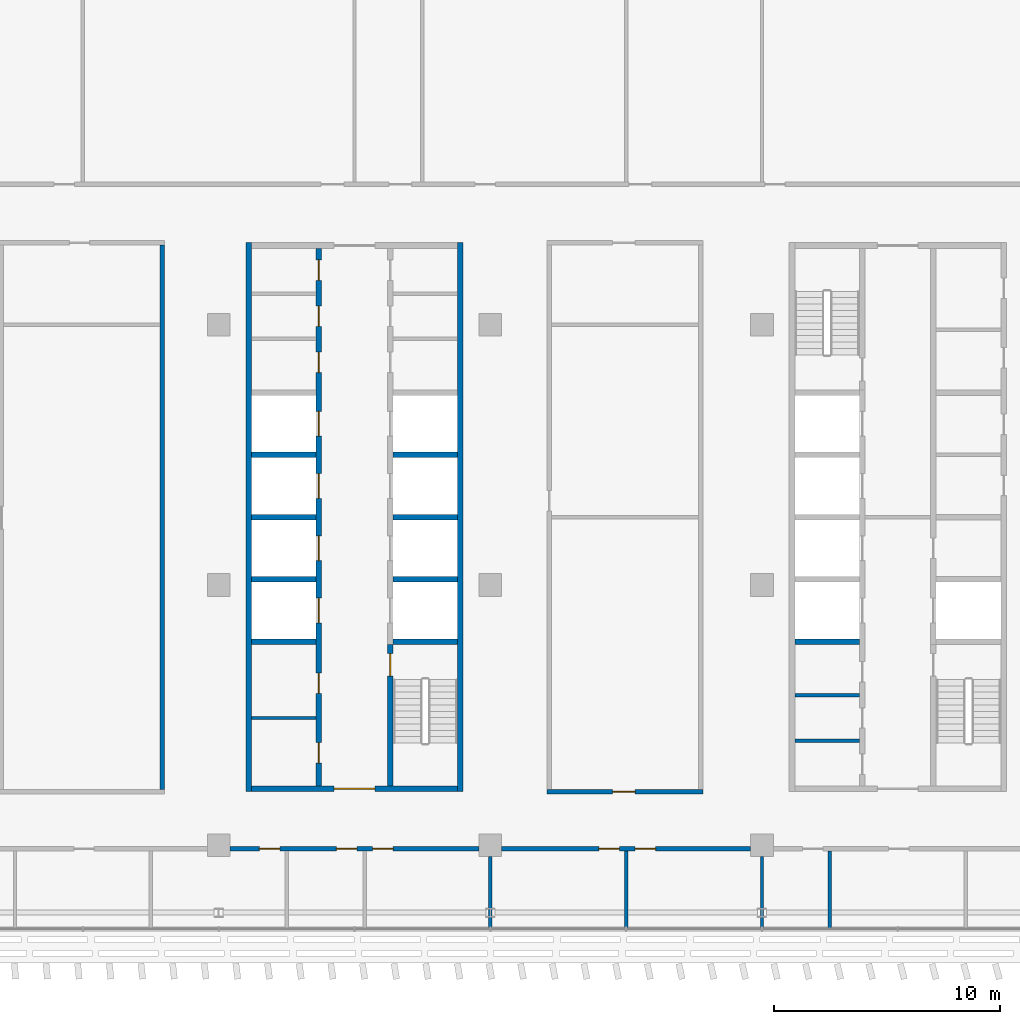
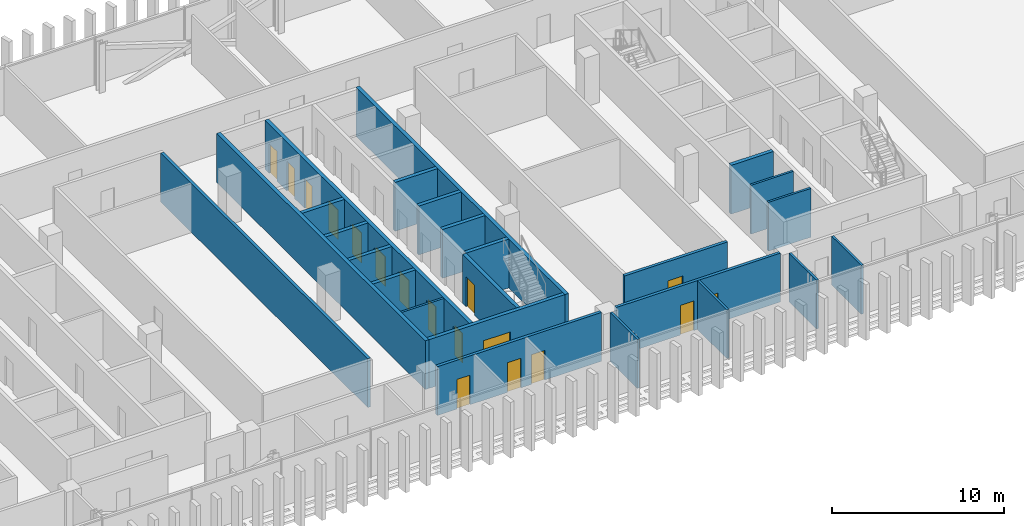
# One storey, part 18 of 34: 25 walls, 17 doors, 17 openings.
"""IFC4 building model written with IfcOpenShell, lengths in metres."""

import ifcopenshell
import ifcopenshell.guid

model = None  # the IFC model being written
_history = None  # IfcOwnerHistory: only IFC2X3 demands one
_inside = {}  # id of a spatial element -> (the spatial element, [elements in it])
_under = {}  # id of a project, library or spatial element -> (it, [spatial elements below it])
_declared = {}  # id of a project -> (the project, [libraries it declares])
_typed = {}  # id of a type object -> (the type object, [elements of that type])
_made_of = {}  # id of a material, layer set ... -> (it, [elements and type objects made of it])


def new_model(schema):
    """Start an empty IFC model of exactly this schema.

    Asked for "IFC4X3", IfcOpenShell would pick the latest addendum, in which some entities
    have other attributes; the version numbers below select the first issue.
    IFC2X3 requires an IfcOwnerHistory on every rooted entity: one is made here for all.
    """
    global model, _history
    if schema == "IFC4X3":
        model = ifcopenshell.file(schema_version=(4, 3, 0, 0))
    else:
        model = ifcopenshell.file(schema=schema)
    _inside.clear()
    _under.clear()
    _declared.clear()
    _typed.clear()
    _made_of.clear()
    _history = None
    if model.schema == "IFC2X3":
        org = make("IfcOrganization", Name="unknown")
        user = make(
            "IfcPersonAndOrganization",
            ThePerson=make("IfcPerson", FamilyName="unknown"),
            TheOrganization=org,
        )
        app = make(
            "IfcApplication",
            ApplicationDeveloper=org,
            Version="unknown",
            ApplicationFullName="unknown",
            ApplicationIdentifier="unknown",
        )
        _history = make(
            "IfcOwnerHistory",
            OwningUser=user,
            OwningApplication=app,
            ChangeAction="ADDED",
            CreationDate=0,
        )
    return model


def make(cls, **values):
    """One entity of the class cls with the attributes given. An attribute that is None is left unset."""
    return model.create_entity(
        cls, **{name: value for name, value in values.items() if value is not None}
    )


def rooted(cls, **values):
    """An entity with a GlobalId (a new one), such as an element, a storey or a relation."""
    return make(cls, GlobalId=ifcopenshell.guid.new(), OwnerHistory=_history, **values)


def si_unit(unit_type, name, prefix=None):
    """IfcSIUnit, for example si_unit("LENGTHUNIT", "METRE", prefix="MILLI")."""
    return make("IfcSIUnit", UnitType=unit_type, Prefix=prefix, Name=name)


def assignment(units):
    """IfcUnitAssignment: the units of a project."""
    return None if units is None else make("IfcUnitAssignment", Units=units)


def point(xyz):
    """IfcCartesianPoint."""
    return None if xyz is None else make("IfcCartesianPoint", Coordinates=xyz)


def direction(xyz):
    """IfcDirection."""
    return None if xyz is None else make("IfcDirection", DirectionRatios=xyz)


def frame(location, z_axis=None, x_axis=None):
    """IfcAxis2Placement3D, a coordinate frame: its origin and axes. An axis left out is left unset."""
    return make(
        "IfcAxis2Placement3D",
        Location=point(location),
        Axis=direction(z_axis),
        RefDirection=direction(x_axis),
    )


def frame_2d(location, x_axis=None):
    """IfcAxis2Placement2D, a coordinate frame in the plane: its origin and x axis."""
    return make(
        "IfcAxis2Placement2D", Location=point(location), RefDirection=direction(x_axis)
    )


def origin():
    """The frame at (0, 0, 0) with its axes left unset."""
    return frame((0.0, 0.0, 0.0))


def place(relative_to, where):
    """IfcLocalPlacement: puts the frame where relative to a parent placement (None: the world)."""
    return make(
        "IfcLocalPlacement", PlacementRelTo=relative_to, RelativePlacement=where
    )


def context(
    kind, dimensions, precision=None, world=None, true_north=None, identifier=None
):
    """IfcGeometricRepresentationContext, for example the 3D "Model" context."""
    return make(
        "IfcGeometricRepresentationContext",
        ContextIdentifier=identifier,
        ContextType=kind,
        CoordinateSpaceDimension=dimensions,
        Precision=precision,
        WorldCoordinateSystem=world,
        TrueNorth=true_north,
    )


def subcontext(parent, identifier, kind, view, scale=None):
    """IfcGeometricRepresentationSubContext, for example "Body" below "Model"."""
    return make(
        "IfcGeometricRepresentationSubContext",
        ContextIdentifier=identifier,
        ContextType=kind,
        ParentContext=parent,
        TargetScale=scale,
        TargetView=view,
    )


def project(units=None, contexts=None):
    """IfcProject with its units and contexts."""
    return rooted(
        "IfcProject",
        Name="project",
        RepresentationContexts=contexts,
        UnitsInContext=assignment(units),
    )


def spatial(cls, under=None, at=None, **own):
    """A site, building, storey or space (cls), placed at a placement, below another one or the project."""
    s = rooted(cls, ObjectPlacement=at, **own)
    if under is not None:
        _under.setdefault(under.id(), (under, []))[1].append(s)
    return s


def profile(cls, at=None, kind="AREA", **sizes):
    """A parametric profile (cls). Its sizes go by their IFC names, for example OverallWidth=200.0."""
    return make(cls, ProfileType=kind, Position=at, **sizes)


def rectangle(**sizes):
    """IfcRectangleProfileDef."""
    return profile("IfcRectangleProfileDef", **sizes)


def extrude(swept, where, along, depth):
    """IfcExtrudedAreaSolid: the profile swept, set in the frame where, extruded along a direction by depth."""
    return make(
        "IfcExtrudedAreaSolid",
        SweptArea=swept,
        Position=where,
        ExtrudedDirection=direction(along),
        Depth=depth,
    )


def shape(context_of_items, identifier, shape_type, items):
    """IfcShapeRepresentation: the items that make up one representation, for example the "Body"."""
    return make(
        "IfcShapeRepresentation",
        ContextOfItems=context_of_items,
        RepresentationIdentifier=identifier,
        RepresentationType=shape_type,
        Items=items,
    )


def material(Name=None, Category=None):
    """IfcMaterial."""
    return make("IfcMaterial", Name=Name, Category=Category)


def layer(
    of_material, thickness, ventilated=None, Name=None, Category=None, Priority=None
):
    """IfcMaterialLayer: one layer of a wall or slab, of a material (None: an air gap)."""
    return make(
        "IfcMaterialLayer",
        Material=of_material,
        LayerThickness=thickness,
        IsVentilated=ventilated,
        Name=Name,
        Category=Category,
        Priority=Priority,
    )


def layer_set(layers, Name=None):
    """IfcMaterialLayerSet."""
    return make("IfcMaterialLayerSet", MaterialLayers=layers, LayerSetName=Name)


def made_of(thing, what):
    """Note that an element or type object is made of a material, layer set ...; save() writes the relation."""
    if what is not None:
        _made_of.setdefault(what.id(), (what, []))[1].append(thing)
    return thing


def type_object(cls, material=None, **own):
    """A type object (cls), such as IfcWallType, which elements share."""
    return made_of(rooted(cls, **own), material)


def element(
    cls,
    number,
    at=None,
    inside=None,
    cuts=None,
    type_object=None,
    material=None,
    context=None,
    identifier="Body",
    shape_type=None,
    held_by="IfcProductDefinitionShape",
    body=None,
    shapes=None,
    **own,
):
    """One element of the class cls, such as IfcWall. Its Tag is "e" and its number.

    at: its placement. inside: the storey or other place that contains it. cuts: it is an
    opening in that element (IfcRelVoidsElement). A single representation is given by context,
    identifier, shape_type and body (its items); several are given by shapes. held_by: the class
    of the entity that holds the representations. save() writes the other relations.
    """
    e = rooted(cls, Tag="e%d" % number, ObjectPlacement=at, **own)
    if body is not None:
        shapes = [shape(context, identifier, shape_type, body)]
    if shapes is not None:
        e.Representation = make(held_by, Representations=shapes)
    if inside is not None:
        _inside.setdefault(inside.id(), (inside, []))[1].append(e)
    if cuts is not None:
        rooted(
            "IfcRelVoidsElement", RelatingBuildingElement=cuts, RelatedOpeningElement=e
        )
    if type_object is not None:
        _typed.setdefault(type_object.id(), (type_object, []))[1].append(e)
    return made_of(e, material)


def fill(opening, filler):
    """IfcRelFillsElement: the door or window that sits in an opening."""
    return rooted(
        "IfcRelFillsElement",
        RelatingOpeningElement=opening,
        RelatedBuildingElement=filler,
    )


def aggregate(whole, parts):
    """IfcRelAggregates: a whole, such as a stair, and the parts it consists of."""
    return rooted("IfcRelAggregates", RelatingObject=whole, RelatedObjects=parts)


def save(model, path):
    """Write the relations noted so far, then the file.

    IfcRelAggregates (storeys below a building ...), IfcRelContainedInSpatialStructure (elements
    in a storey), IfcRelDefinesByType, IfcRelAssociatesMaterial and IfcRelDeclares: one each for
    every whole, place, type object, material and project.
    """
    for whole, parts in _under.values():
        aggregate(whole, parts)
    for where, things in _inside.values():
        rooted(
            "IfcRelContainedInSpatialStructure",
            RelatedElements=things,
            RelatingStructure=where,
        )
    for kind, things in _typed.values():
        rooted("IfcRelDefinesByType", RelatedObjects=things, RelatingType=kind)
    for what, things in _made_of.values():
        rooted("IfcRelAssociatesMaterial", RelatedObjects=things, RelatingMaterial=what)
    for by, libraries in _declared.values():
        rooted("IfcRelDeclares", RelatingContext=by, RelatedDefinitions=libraries)
    model.write(path)


model = new_model("IFC4")

# Units and contexts
model_context = context("Model", 3, precision=1e-05, world=origin(), true_north=direction((0.0, 1.0)))
body_context = subcontext(model_context, "Body", "Model", "MODEL_VIEW")
ifc_project = project(units=[si_unit("LENGTHUNIT", "METRE"), si_unit("AREAUNIT", "SQUARE_METRE"), si_unit("VOLUMEUNIT", "CUBIC_METRE"), si_unit("PLANEANGLEUNIT", "RADIAN"), si_unit("MASSUNIT", "GRAM", prefix="KILO")], contexts=[model_context])

# Site, building, storey
site_placement = place(None, origin())
site = spatial("IfcSite", under=ifc_project, at=site_placement, CompositionType="ELEMENT")
building_placement = place(site_placement, origin())
building = spatial("IfcBuilding", under=site, at=building_placement, Name="Mahtab Terrace Research Tower", CompositionType="ELEMENT")
storey_placement = place(building_placement, frame((0.0, 0.0, 247.60009765625)))
storey = spatial("IfcBuildingStorey", under=building, at=storey_placement, Name="L60", CompositionType="ELEMENT", Elevation=247.60009765625)

# Walls
ifc_material_1 = material(Name="Gypsum board partition")
ifc_layer_1 = layer(ifc_material_1, 0.14990234375)
ifc_layer_set_1 = layer_set([ifc_layer_1], Name="Core partition 150")
wall_type_1 = type_object("IfcWallType", Name="Core partition 150", PredefinedType="PARTITIONING", material=ifc_layer_set_1)
for number, where, z_axis, x_axis, name in (
    (1, (-4.550048828125, -5.875, 0.0), (0.0, 0.0, 1.0), (1.0, 0.0, 0.0), "Core wall B pWS-888"),
    (2, (19.449951171875, -6.875, 0.0), (0.0, 0.0, 1.0), (1.0, 0.0, 0.0), "Core wall C pWS-988"),
    (3, (19.449951171875, -4.875, 0.0), (0.0, 0.0, 1.0), (1.0, 0.0, 0.0), "Core wall C pWS-788"),
):
    element("IfcWall", number, at=place(storey_placement, frame(where, z_axis=z_axis, x_axis=x_axis)), inside=storey, type_object=wall_type_1, Name=name, PredefinedType="PARTITIONING", context=body_context, shape_type="SweptSolid", body=[
        extrude(rectangle(XDim=2.85009765625, YDim=0.14990234375, at=frame_2d((1.425048828125, 0.0))), origin(), (0.0, 0.0, 1.0), 3.4599609375),
    ])
ifc_material_2 = material(Name="Concrete C70/85", Category="concrete")
ifc_layer_2 = layer(ifc_material_2, 0.25)
ifc_layer_set_2 = layer_set([ifc_layer_2], Name="Core wall 250")
wall_type_2 = type_object("IfcWallType", Name="Core wall 250", PredefinedType="SOLIDWALL", material=ifc_layer_set_2)
for number, where, z_axis, x_axis, name in (
    (4, (-4.675048828125, 15.125, 0.0), (0.0, 0.0, 1.0), (0.0, -1.0, 0.0), "Core wall B outerW"),
    (5, (4.675048828125, -9.125, 0.0), (0.0, 0.0, 1.0), (0.0, 1.0, 0.0), "Core wall B outerE"),
):
    element("IfcWall", number, at=place(storey_placement, frame(where, z_axis=z_axis, x_axis=x_axis)), inside=storey, type_object=wall_type_2, Name=name, PredefinedType="SOLIDWALL", context=body_context, shape_type="SweptSolid", body=[
        extrude(rectangle(XDim=24.25, YDim=0.25, at=frame_2d((12.125, 0.0))), origin(), (0.0, 0.0, 1.0), 3.4599609375),
    ])

# Wall, opening, door
wall_1_placement = place(storey_placement, frame((4.550048828125, -9.0, 0.0), z_axis=(0.0, 0.0, 1.0), x_axis=(-1.0, 0.0, 0.0)))
wall_1 = element("IfcWall", 6, at=wall_1_placement, inside=storey, type_object=wall_type_2, Name="Core wall B endS", PredefinedType="SOLIDWALL", context=body_context, shape_type="SweptSolid", body=[
    extrude(rectangle(XDim=9.10009765625, YDim=0.25, at=frame_2d((4.550048828125, 0.0))), origin(), (0.0, 0.0, 1.0), 3.4599609375),
])
opening_1_placement = place(wall_1_placement, frame((3.64990234375, 0.0, 0.0)))
opening_1 = element("IfcOpeningElement", 7, at=opening_1_placement, cuts=wall_1, Name="Opening B-S1", PredefinedType="OPENING", context=body_context, shape_type="SweptSolid", body=[
    extrude(rectangle(XDim=1.800048828125, YDim=2.10009765625, at=frame_2d((0.89990234375, 1.050048828125))), frame((0.0, 0.135009765625, 0.0), z_axis=(0.0, -1.0, 0.0), x_axis=(1.0, 0.0, 0.0)), (0.0, 0.0, 1.0), 0.27001953125),
])
ifc_material_3 = material(Name="Steel fire door", Category="steel")
door_type_1 = type_object("IfcDoorType", Name="Lobby double door 1800x2100 1 HR", OperationType="DOUBLE_DOOR_SINGLE_SWING", PredefinedType="DOOR", material=ifc_material_3)
door_1_placement = place(opening_1_placement, origin())
door_1 = element("IfcDoor", 8, at=door_1_placement, inside=storey, type_object=door_type_1, Name="Core entrance door B S", OperationType="DOUBLE_DOOR_SINGLE_SWING", OverallHeight=2.10009765625, OverallWidth=1.800048828125, PredefinedType="DOOR", context=body_context, shape_type="SweptSolid", body=[
    extrude(rectangle(XDim=1.800048828125, YDim=2.10009765625, at=frame_2d((0.89990234375, 1.050048828125))), frame((0.0, 0.02490234375, 0.0), z_axis=(0.0, -1.0, 0.0), x_axis=(1.0, 0.0, 0.0)), (0.0, 0.0, 1.0), 0.050048828125),
])
fill(opening_1, door_1)

# Wall, openings, doors
wall_2_placement = place(storey_placement, frame((-1.574951171875, -8.875, 0.0), z_axis=(0.0, 0.0, 1.0), x_axis=(0.0, 1.0, 0.0)))
wall_2 = element("IfcWall", 9, at=wall_2_placement, inside=storey, type_object=wall_type_2, Name="Core wall B innerWSLN", PredefinedType="SOLIDWALL", context=body_context, shape_type="SweptSolid", body=[
    extrude(rectangle(XDim=23.75, YDim=0.25, at=frame_2d((11.875, 0.0))), origin(), (0.0, 0.0, 1.0), 3.4599609375),
])
opening_2_placement = place(wall_2_placement, frame((7.199951171875, 0.0, 0.0)))
opening_2 = element("IfcOpeningElement", 10, at=opening_2_placement, cuts=wall_2, Name="Opening LD09-L60", PredefinedType="OPENING", context=body_context, shape_type="SweptSolid", body=[
    extrude(rectangle(XDim=1.10009765625, YDim=2.10009765625, at=frame_2d((0.550048828125, 1.050048828125))), frame((0.0, 0.135009765625, 0.0), z_axis=(0.0, -1.0, 0.0), x_axis=(1.0, 0.0, 0.0)), (0.0, 0.0, 1.0), 0.27001953125),
])
opening_3_placement = place(wall_2_placement, frame((9.949951171875, 0.0, 0.0)))
opening_3 = element("IfcOpeningElement", 11, at=opening_3_placement, cuts=wall_2, Name="Opening LD10-L60", PredefinedType="OPENING", context=body_context, shape_type="SweptSolid", body=[
    extrude(rectangle(XDim=1.10009765625, YDim=2.10009765625, at=frame_2d((0.550048828125, 1.050048828125))), frame((0.0, 0.135009765625, 0.0), z_axis=(0.0, -1.0, 0.0), x_axis=(1.0, 0.0, 0.0)), (0.0, 0.0, 1.0), 0.27001953125),
])
opening_4_placement = place(wall_2_placement, frame((12.699951171875, 0.0, 0.0)))
opening_4 = element("IfcOpeningElement", 12, at=opening_4_placement, cuts=wall_2, Name="Opening LD11-L60", PredefinedType="OPENING", context=body_context, shape_type="SweptSolid", body=[
    extrude(rectangle(XDim=1.10009765625, YDim=2.10009765625, at=frame_2d((0.550048828125, 1.050048828125))), frame((0.0, 0.135009765625, 0.0), z_axis=(0.0, -1.0, 0.0), x_axis=(1.0, 0.0, 0.0)), (0.0, 0.0, 1.0), 0.27001953125),
])
opening_5_placement = place(wall_2_placement, frame((15.449951171875, 0.0, 0.0)))
opening_5 = element("IfcOpeningElement", 13, at=opening_5_placement, cuts=wall_2, Name="Opening LD12-L60", PredefinedType="OPENING", context=body_context, shape_type="SweptSolid", body=[
    extrude(rectangle(XDim=1.10009765625, YDim=2.10009765625, at=frame_2d((0.550048828125, 1.050048828125))), frame((0.0, 0.135009765625, 0.0), z_axis=(0.0, -1.0, 0.0), x_axis=(1.0, 0.0, 0.0)), (0.0, 0.0, 1.0), 0.27001953125),
])
opening_6_placement = place(wall_2_placement, frame((1.012451171875, 0.0, 0.0)))
opening_6 = element("IfcOpeningElement", 14, at=opening_6_placement, cuts=wall_2, Name="Opening B-R1", PredefinedType="OPENING", context=body_context, shape_type="SweptSolid", body=[
    extrude(rectangle(XDim=0.89990234375, YDim=2.10009765625, at=frame_2d((0.449951171875, 1.050048828125))), frame((0.0, 0.135009765625, 0.0), z_axis=(0.0, -1.0, 0.0), x_axis=(1.0, 0.0, 0.0)), (0.0, 0.0, 1.0), 0.27001953125),
])
opening_7_placement = place(wall_2_placement, frame((4.08740234375, 0.0, 0.0)))
opening_7 = element("IfcOpeningElement", 15, at=opening_7_placement, cuts=wall_2, Name="Opening B-R2", PredefinedType="OPENING", context=body_context, shape_type="SweptSolid", body=[
    extrude(rectangle(XDim=0.89990234375, YDim=2.10009765625, at=frame_2d((0.449951171875, 1.050048828125))), frame((0.0, 0.135009765625, 0.0), z_axis=(0.0, -1.0, 0.0), x_axis=(1.0, 0.0, 0.0)), (0.0, 0.0, 1.0), 0.27001953125),
])
opening_8_placement = place(wall_2_placement, frame((18.262451171875, 0.0, 0.0)))
opening_8 = element("IfcOpeningElement", 16, at=opening_8_placement, cuts=wall_2, Name="Opening B-R3", PredefinedType="OPENING", context=body_context, shape_type="SweptSolid", body=[
    extrude(rectangle(XDim=0.89990234375, YDim=2.10009765625, at=frame_2d((0.449951171875, 1.050048828125))), frame((0.0, 0.135009765625, 0.0), z_axis=(0.0, -1.0, 0.0), x_axis=(1.0, 0.0, 0.0)), (0.0, 0.0, 1.0), 0.27001953125),
])
opening_9_placement = place(wall_2_placement, frame((20.300048828125, 0.0, 0.0)))
opening_9 = element("IfcOpeningElement", 17, at=opening_9_placement, cuts=wall_2, Name="Opening B-R4", PredefinedType="OPENING", context=body_context, shape_type="SweptSolid", body=[
    extrude(rectangle(XDim=0.89990234375, YDim=2.10009765625, at=frame_2d((0.449951171875, 1.050048828125))), frame((0.0, 0.135009765625, 0.0), z_axis=(0.0, -1.0, 0.0), x_axis=(1.0, 0.0, 0.0)), (0.0, 0.0, 1.0), 0.27001953125),
])
opening_10_placement = place(wall_2_placement, frame((22.33740234375, 0.0, 0.0)))
opening_10 = element("IfcOpeningElement", 18, at=opening_10_placement, cuts=wall_2, Name="Opening B-R5", PredefinedType="OPENING", context=body_context, shape_type="SweptSolid", body=[
    extrude(rectangle(XDim=0.89990234375, YDim=2.10009765625, at=frame_2d((0.449951171875, 1.050048828125))), frame((0.0, 0.135009765625, 0.0), z_axis=(0.0, -1.0, 0.0), x_axis=(1.0, 0.0, 0.0)), (0.0, 0.0, 1.0), 0.27001953125),
])
ifc_material_4 = material(Name="Stainless steel AISI 304", Category="steel")
door_type_2 = type_object("IfcDoorType", Name="Landing door 1100x2100", OperationType="DOUBLE_DOOR_SLIDING", PredefinedType="DOOR", material=ifc_material_4)
door_2_placement = place(opening_2_placement, origin())
door_2 = element("IfcDoor", 19, at=door_2_placement, inside=storey, type_object=door_type_2, Name="Landing door HR1 L60", OperationType="DOUBLE_DOOR_SLIDING", OverallHeight=2.10009765625, OverallWidth=1.10009765625, PredefinedType="DOOR", context=body_context, shape_type="SweptSolid", body=[
    extrude(rectangle(XDim=1.10009765625, YDim=2.10009765625, at=frame_2d((0.550048828125, 1.050048828125))), frame((0.0, 0.02490234375, 0.0), z_axis=(0.0, -1.0, 0.0), x_axis=(1.0, 0.0, 0.0)), (0.0, 0.0, 1.0), 0.050048828125),
])
fill(opening_2, door_2)
door_3_placement = place(opening_3_placement, origin())
door_3 = element("IfcDoor", 20, at=door_3_placement, inside=storey, type_object=door_type_2, Name="Landing door HR2 L60", OperationType="DOUBLE_DOOR_SLIDING", OverallHeight=2.10009765625, OverallWidth=1.10009765625, PredefinedType="DOOR", context=body_context, shape_type="SweptSolid", body=[
    extrude(rectangle(XDim=1.10009765625, YDim=2.10009765625, at=frame_2d((0.550048828125, 1.050048828125))), frame((0.0, 0.02490234375, 0.0), z_axis=(0.0, -1.0, 0.0), x_axis=(1.0, 0.0, 0.0)), (0.0, 0.0, 1.0), 0.050048828125),
])
fill(opening_3, door_3)
door_4_placement = place(opening_4_placement, origin())
door_4 = element("IfcDoor", 21, at=door_4_placement, inside=storey, type_object=door_type_2, Name="Landing door HR3 L60", OperationType="DOUBLE_DOOR_SLIDING", OverallHeight=2.10009765625, OverallWidth=1.10009765625, PredefinedType="DOOR", context=body_context, shape_type="SweptSolid", body=[
    extrude(rectangle(XDim=1.10009765625, YDim=2.10009765625, at=frame_2d((0.550048828125, 1.050048828125))), frame((0.0, 0.02490234375, 0.0), z_axis=(0.0, -1.0, 0.0), x_axis=(1.0, 0.0, 0.0)), (0.0, 0.0, 1.0), 0.050048828125),
])
fill(opening_4, door_4)
door_5_placement = place(opening_5_placement, origin())
door_5 = element("IfcDoor", 22, at=door_5_placement, inside=storey, type_object=door_type_2, Name="Landing door HR4 L60", OperationType="DOUBLE_DOOR_SLIDING", OverallHeight=2.10009765625, OverallWidth=1.10009765625, PredefinedType="DOOR", context=body_context, shape_type="SweptSolid", body=[
    extrude(rectangle(XDim=1.10009765625, YDim=2.10009765625, at=frame_2d((0.550048828125, 1.050048828125))), frame((0.0, 0.02490234375, 0.0), z_axis=(0.0, -1.0, 0.0), x_axis=(1.0, 0.0, 0.0)), (0.0, 0.0, 1.0), 0.050048828125),
])
fill(opening_5, door_5)
door_type_3 = type_object("IfcDoorType", Name="Room door 900x2100 1 HR", OperationType="NOTDEFINED", PredefinedType="DOOR", material=ifc_material_3)
door_6_placement = place(opening_6_placement, origin())
door_6 = element("IfcDoor", 23, at=door_6_placement, inside=storey, type_object=door_type_3, Name="Housekeeping store door", OperationType="SINGLE_SWING_LEFT", OverallHeight=2.10009765625, OverallWidth=0.89990234375, PredefinedType="DOOR", context=body_context, shape_type="SweptSolid", body=[
    extrude(rectangle(XDim=0.89990234375, YDim=2.10009765625, at=frame_2d((0.449951171875, 1.050048828125))), frame((0.0, 0.02490234375, 0.0), z_axis=(0.0, -1.0, 0.0), x_axis=(1.0, 0.0, 0.0)), (0.0, 0.0, 1.0), 0.050048828125),
])
fill(opening_6, door_6)
door_7_placement = place(opening_7_placement, origin())
door_7 = element("IfcDoor", 24, at=door_7_placement, inside=storey, type_object=door_type_3, Name="Electrical riser room door", OperationType="SINGLE_SWING_RIGHT", OverallHeight=2.10009765625, OverallWidth=0.89990234375, PredefinedType="DOOR", context=body_context, shape_type="SweptSolid", body=[
    extrude(rectangle(XDim=0.89990234375, YDim=2.10009765625, at=frame_2d((0.449951171875, 1.050048828125))), frame((0.0, 0.02490234375, 0.0), z_axis=(0.0, -1.0, 0.0), x_axis=(1.0, 0.0, 0.0)), (0.0, 0.0, 1.0), 0.050048828125),
])
fill(opening_7, door_7)
door_8_placement = place(opening_8_placement, origin())
door_8 = element("IfcDoor", 25, at=door_8_placement, inside=storey, type_object=door_type_3, Name="Comms riser room door", OperationType="SINGLE_SWING_LEFT", OverallHeight=2.10009765625, OverallWidth=0.89990234375, PredefinedType="DOOR", context=body_context, shape_type="SweptSolid", body=[
    extrude(rectangle(XDim=0.89990234375, YDim=2.10009765625, at=frame_2d((0.449951171875, 1.050048828125))), frame((0.0, 0.02490234375, 0.0), z_axis=(0.0, -1.0, 0.0), x_axis=(1.0, 0.0, 0.0)), (0.0, 0.0, 1.0), 0.050048828125),
])
fill(opening_8, door_8)
door_9_placement = place(opening_9_placement, origin())
door_9 = element("IfcDoor", 26, at=door_9_placement, inside=storey, type_object=door_type_3, Name="Pantry door", OperationType="SINGLE_SWING_RIGHT", OverallHeight=2.10009765625, OverallWidth=0.89990234375, PredefinedType="DOOR", context=body_context, shape_type="SweptSolid", body=[
    extrude(rectangle(XDim=0.89990234375, YDim=2.10009765625, at=frame_2d((0.449951171875, 1.050048828125))), frame((0.0, 0.02490234375, 0.0), z_axis=(0.0, -1.0, 0.0), x_axis=(1.0, 0.0, 0.0)), (0.0, 0.0, 1.0), 0.050048828125),
])
fill(opening_9, door_9)
door_10_placement = place(opening_10_placement, origin())
door_10 = element("IfcDoor", 27, at=door_10_placement, inside=storey, type_object=door_type_3, Name="Cleaners store door", OperationType="SINGLE_SWING_LEFT", OverallHeight=2.10009765625, OverallWidth=0.89990234375, PredefinedType="DOOR", context=body_context, shape_type="SweptSolid", body=[
    extrude(rectangle(XDim=0.89990234375, YDim=2.10009765625, at=frame_2d((0.449951171875, 1.050048828125))), frame((0.0, 0.02490234375, 0.0), z_axis=(0.0, -1.0, 0.0), x_axis=(1.0, 0.0, 0.0)), (0.0, 0.0, 1.0), 0.050048828125),
])
fill(opening_10, door_10)

# Wall, opening, door
wall_3_placement = place(storey_placement, frame((1.574951171875, -8.875, 0.0), z_axis=(0.0, 0.0, 1.0), x_axis=(0.0, 1.0, 0.0)))
wall_3 = element("IfcWall", 28, at=wall_3_placement, inside=storey, type_object=wall_type_2, Name="Core wall B innerES", PredefinedType="SOLIDWALL", context=body_context, shape_type="SweptSolid", body=[
    extrude(rectangle(XDim=6.25, YDim=0.25, at=frame_2d((3.125, 0.0))), origin(), (0.0, 0.0, 1.0), 3.4599609375),
])
opening_11_placement = place(wall_3_placement, frame((4.85009765625, 0.0, 0.0)))
opening_11 = element("IfcOpeningElement", 29, at=opening_11_placement, cuts=wall_3, Name="Opening B-ST2", PredefinedType="OPENING", context=body_context, shape_type="SweptSolid", body=[
    extrude(rectangle(XDim=1.0, YDim=2.10009765625, at=frame_2d((0.5, 1.050048828125))), frame((0.0, 0.135009765625, 0.0), z_axis=(0.0, -1.0, 0.0), x_axis=(1.0, 0.0, 0.0)), (0.0, 0.0, 1.0), 0.27001953125),
])
door_type_4 = type_object("IfcDoorType", Name="Stair door 1000x2100 1.5 HR", OperationType="NOTDEFINED", PredefinedType="DOOR", material=ifc_material_3)
door_11_placement = place(opening_11_placement, origin())
door_11 = element("IfcDoor", 30, at=door_11_placement, inside=storey, type_object=door_type_4, Name="Stair door ST2 L60", OperationType="SINGLE_SWING_LEFT", OverallHeight=2.10009765625, OverallWidth=1.0, PredefinedType="DOOR", context=body_context, shape_type="SweptSolid", body=[
    extrude(rectangle(XDim=1.0, YDim=2.10009765625, at=frame_2d((0.5, 1.050048828125))), frame((0.0, 0.02490234375, 0.0), z_axis=(0.0, -1.0, 0.0), x_axis=(1.0, 0.0, 0.0)), (0.0, 0.0, 1.0), 0.050048828125),
])
fill(opening_11, door_11)

# Walls
for number, where, z_axis, x_axis, name in (
    (31, (-4.550048828125, -2.5, 0.0), (0.0, 0.0, 1.0), (1.0, 0.0, 0.0), "Core wall B divW0"),
    (32, (-4.550048828125, 0.25, 0.0), (0.0, 0.0, 1.0), (1.0, 0.0, 0.0), "Core wall B divW1"),
    (33, (-4.550048828125, 3.0, 0.0), (0.0, 0.0, 1.0), (1.0, 0.0, 0.0), "Core wall B divW2"),
    (34, (-4.550048828125, 5.75, 0.0), (0.0, 0.0, 1.0), (1.0, 0.0, 0.0), "Core wall B divW3"),
    (35, (1.699951171875, -2.5, 0.0), (0.0, 0.0, 1.0), (1.0, 0.0, 0.0), "Core wall B divE0"),
    (36, (1.699951171875, 0.25, 0.0), (0.0, 0.0, 1.0), (1.0, 0.0, 0.0), "Core wall B divE1"),
    (37, (1.699951171875, 3.0, 0.0), (0.0, 0.0, 1.0), (1.0, 0.0, 0.0), "Core wall B divE2"),
    (38, (1.699951171875, 5.75, 0.0), (0.0, 0.0, 1.0), (1.0, 0.0, 0.0), "Core wall B divE3"),
    (39, (19.449951171875, -2.5, 0.0), (0.0, 0.0, 1.0), (1.0, 0.0, 0.0), "Core wall C divW0"),
):
    element("IfcWall", number, at=place(storey_placement, frame(where, z_axis=z_axis, x_axis=x_axis)), inside=storey, type_object=wall_type_2, Name=name, PredefinedType="SOLIDWALL", context=body_context, shape_type="SweptSolid", body=[
        extrude(rectangle(XDim=2.85009765625, YDim=0.25, at=frame_2d((1.425048828125, 0.0))), origin(), (0.0, 0.0, 1.0), 3.4599609375),
    ])

# Wall, openings, doors
ifc_material_5 = material(Name="Gypsum board corridor wall on steel studs", Category="steel")
ifc_layer_3 = layer(ifc_material_5, 0.199951171875)
ifc_layer_set_3 = layer_set([ifc_layer_3], Name="WALL CORRIDOR 200")
wall_type_3 = type_object("IfcWallType", Name="WALL CORRIDOR 200", PredefinedType="PARTITIONING", material=ifc_layer_set_3)
wall_4_placement = place(storey_placement, frame((-5.5, -11.64501953125, 0.0), z_axis=(0.0, 0.0, 1.0), x_axis=(1.0, 0.0, 0.0)))
wall_4 = element("IfcWall", 40, at=wall_4_placement, inside=storey, type_object=wall_type_3, Name="L60-W005", PredefinedType="PARTITIONING", context=body_context, shape_type="SweptSolid", body=[
    extrude(rectangle(XDim=11.0, YDim=0.199951171875, at=frame_2d((5.5, 0.0))), origin(), (0.0, 0.0, 1.0), 3.4599609375),
])
opening_12_placement = place(wall_4_placement, frame((1.300048828125, 0.0, 0.0)))
opening_12 = element("IfcOpeningElement", 41, at=opening_12_placement, cuts=wall_4, Name="Opening L60-106", PredefinedType="OPENING", context=body_context, shape_type="SweptSolid", body=[
    extrude(rectangle(XDim=0.89990234375, YDim=2.10009765625, at=frame_2d((0.449951171875, 1.050048828125))), frame((0.0, 0.10986328125, 0.0), z_axis=(0.0, -1.0, 0.0), x_axis=(1.0, 0.0, 0.0)), (0.0, 0.0, 1.0), 0.219970703125),
])
opening_13_placement = place(wall_4_placement, frame((4.699951171875, 0.0, 0.0)))
opening_13 = element("IfcOpeningElement", 42, at=opening_13_placement, cuts=wall_4, Name="Opening L60-107", PredefinedType="OPENING", context=body_context, shape_type="SweptSolid", body=[
    extrude(rectangle(XDim=0.89990234375, YDim=2.10009765625, at=frame_2d((0.449951171875, 1.050048828125))), frame((0.0, 0.10986328125, 0.0), z_axis=(0.0, -1.0, 0.0), x_axis=(1.0, 0.0, 0.0)), (0.0, 0.0, 1.0), 0.219970703125),
])
opening_14_placement = place(wall_4_placement, frame((6.300048828125, 0.0, 0.0)))
opening_14 = element("IfcOpeningElement", 43, at=opening_14_placement, cuts=wall_4, Name="Opening L60-108", PredefinedType="OPENING", context=body_context, shape_type="SweptSolid", body=[
    extrude(rectangle(XDim=0.89990234375, YDim=2.10009765625, at=frame_2d((0.449951171875, 1.050048828125))), frame((0.0, 0.10986328125, 0.0), z_axis=(0.0, -1.0, 0.0), x_axis=(1.0, 0.0, 0.0)), (0.0, 0.0, 1.0), 0.219970703125),
])
ifc_material_6 = material(Name="Timber door leaf in steel frame", Category="steel")
door_type_5 = type_object("IfcDoorType", Name="DOOR 0900X2100 FD30S", OperationType="SINGLE_SWING_LEFT", PredefinedType="DOOR", material=ifc_material_6)
door_12_placement = place(opening_12_placement, origin())
door_12 = element("IfcDoor", 44, at=door_12_placement, inside=storey, type_object=door_type_5, Name="Door L60-106", OperationType="SINGLE_SWING_RIGHT", OverallHeight=2.10009765625, OverallWidth=0.89990234375, PredefinedType="DOOR", context=body_context, shape_type="SweptSolid", body=[
    extrude(rectangle(XDim=0.89990234375, YDim=2.10009765625, at=frame_2d((0.449951171875, 1.050048828125))), frame((0.0, 0.02490234375, 0.0), z_axis=(0.0, -1.0, 0.0), x_axis=(1.0, 0.0, 0.0)), (0.0, 0.0, 1.0), 0.050048828125),
])
fill(opening_12, door_12)
door_13_placement = place(opening_13_placement, origin())
door_13 = element("IfcDoor", 45, at=door_13_placement, inside=storey, type_object=door_type_5, Name="Door L60-107", OperationType="SINGLE_SWING_RIGHT", OverallHeight=2.10009765625, OverallWidth=0.89990234375, PredefinedType="DOOR", context=body_context, shape_type="SweptSolid", body=[
    extrude(rectangle(XDim=0.89990234375, YDim=2.10009765625, at=frame_2d((0.449951171875, 1.050048828125))), frame((0.0, 0.02490234375, 0.0), z_axis=(0.0, -1.0, 0.0), x_axis=(1.0, 0.0, 0.0)), (0.0, 0.0, 1.0), 0.050048828125),
])
fill(opening_13, door_13)
door_14_placement = place(opening_14_placement, origin())
door_14 = element("IfcDoor", 46, at=door_14_placement, inside=storey, type_object=door_type_5, Name="Door L60-108", OperationType="SINGLE_SWING_LEFT", OverallHeight=2.10009765625, OverallWidth=0.89990234375, PredefinedType="DOOR", context=body_context, shape_type="SweptSolid", body=[
    extrude(rectangle(XDim=0.89990234375, YDim=2.10009765625, at=frame_2d((0.449951171875, 1.050048828125))), frame((0.0, 0.02490234375, 0.0), z_axis=(0.0, -1.0, 0.0), x_axis=(1.0, 0.0, 0.0)), (0.0, 0.0, 1.0), 0.050048828125),
])
fill(opening_14, door_14)

wall_5_placement = place(storey_placement, frame((6.5, -11.64501953125, 0.0), z_axis=(0.0, 0.0, 1.0), x_axis=(1.0, 0.0, 0.0)))
wall_5 = element("IfcWall", 47, at=wall_5_placement, inside=storey, type_object=wall_type_3, Name="L60-W006", PredefinedType="PARTITIONING", context=body_context, shape_type="SweptSolid", body=[
    extrude(rectangle(XDim=11.0, YDim=0.199951171875, at=frame_2d((5.5, 0.0))), origin(), (0.0, 0.0, 1.0), 3.4599609375),
])
opening_15_placement = place(wall_5_placement, frame((4.300048828125, 0.0, 0.0)))
opening_15 = element("IfcOpeningElement", 48, at=opening_15_placement, cuts=wall_5, Name="Opening L60-109", PredefinedType="OPENING", context=body_context, shape_type="SweptSolid", body=[
    extrude(rectangle(XDim=0.89990234375, YDim=2.10009765625, at=frame_2d((0.449951171875, 1.050048828125))), frame((0.0, 0.10986328125, 0.0), z_axis=(0.0, -1.0, 0.0), x_axis=(1.0, 0.0, 0.0)), (0.0, 0.0, 1.0), 0.219970703125),
])
opening_16_placement = place(wall_5_placement, frame((5.89990234375, 0.0, 0.0)))
opening_16 = element("IfcOpeningElement", 49, at=opening_16_placement, cuts=wall_5, Name="Opening L60-110", PredefinedType="OPENING", context=body_context, shape_type="SweptSolid", body=[
    extrude(rectangle(XDim=0.89990234375, YDim=2.10009765625, at=frame_2d((0.449951171875, 1.050048828125))), frame((0.0, 0.10986328125, 0.0), z_axis=(0.0, -1.0, 0.0), x_axis=(1.0, 0.0, 0.0)), (0.0, 0.0, 1.0), 0.219970703125),
])
door_15_placement = place(opening_15_placement, origin())
door_15 = element("IfcDoor", 50, at=door_15_placement, inside=storey, type_object=door_type_5, Name="Door L60-109", OperationType="SINGLE_SWING_RIGHT", OverallHeight=2.10009765625, OverallWidth=0.89990234375, PredefinedType="DOOR", context=body_context, shape_type="SweptSolid", body=[
    extrude(rectangle(XDim=0.89990234375, YDim=2.10009765625, at=frame_2d((0.449951171875, 1.050048828125))), frame((0.0, 0.02490234375, 0.0), z_axis=(0.0, -1.0, 0.0), x_axis=(1.0, 0.0, 0.0)), (0.0, 0.0, 1.0), 0.050048828125),
])
fill(opening_15, door_15)
door_16_placement = place(opening_16_placement, origin())
door_16 = element("IfcDoor", 51, at=door_16_placement, inside=storey, type_object=door_type_5, Name="Door L60-110", OperationType="SINGLE_SWING_LEFT", OverallHeight=2.10009765625, OverallWidth=0.89990234375, PredefinedType="DOOR", context=body_context, shape_type="SweptSolid", body=[
    extrude(rectangle(XDim=0.89990234375, YDim=2.10009765625, at=frame_2d((0.449951171875, 1.050048828125))), frame((0.0, 0.02490234375, 0.0), z_axis=(0.0, -1.0, 0.0), x_axis=(1.0, 0.0, 0.0)), (0.0, 0.0, 1.0), 0.050048828125),
])
fill(opening_16, door_16)

# Wall, opening, door
wall_6_placement = place(storey_placement, frame((8.5, -9.125, 0.0), z_axis=(0.0, 0.0, 1.0), x_axis=(1.0, 0.0, 0.0)))
wall_6 = element("IfcWall", 52, at=wall_6_placement, inside=storey, type_object=wall_type_3, Name="L60-W012", PredefinedType="PARTITIONING", context=body_context, shape_type="SweptSolid", body=[
    extrude(rectangle(XDim=6.89990234375, YDim=0.199951171875, at=frame_2d((3.449951171875, 0.0))), origin(), (0.0, 0.0, 1.0), 3.4599609375),
])
opening_17_placement = place(wall_6_placement, frame((2.89990234375, 0.0, 0.0)))
opening_17 = element("IfcOpeningElement", 53, at=opening_17_placement, cuts=wall_6, Name="Opening L60-118", PredefinedType="OPENING", context=body_context, shape_type="SweptSolid", body=[
    extrude(rectangle(XDim=1.0, YDim=2.10009765625, at=frame_2d((0.5, 1.050048828125))), frame((0.0, 0.10986328125, 0.0), z_axis=(0.0, -1.0, 0.0), x_axis=(1.0, 0.0, 0.0)), (0.0, 0.0, 1.0), 0.219970703125),
])
door_type_6 = type_object("IfcDoorType", Name="DOOR 1000X2100 FD30S", OperationType="SINGLE_SWING_LEFT", PredefinedType="DOOR", material=ifc_material_6)
door_17_placement = place(opening_17_placement, origin())
door_17 = element("IfcDoor", 54, at=door_17_placement, inside=storey, type_object=door_type_6, Name="Door L60-118", OperationType="SINGLE_SWING_LEFT", OverallHeight=2.10009765625, OverallWidth=1.0, PredefinedType="DOOR", context=body_context, shape_type="SweptSolid", body=[
    extrude(rectangle(XDim=1.0, YDim=2.10009765625, at=frame_2d((0.5, 1.050048828125))), frame((0.0, 0.02490234375, 0.0), z_axis=(0.0, -1.0, 0.0), x_axis=(1.0, 0.0, 0.0)), (0.0, 0.0, 1.0), 0.050048828125),
])
fill(opening_17, door_17)

# Walls
wall_7_placement = place(storey_placement, frame((-8.5, -9.02490234375, 0.0), z_axis=(0.0, 0.0, 1.0), x_axis=(0.0, 1.0, 0.0)))
element("IfcWall", 55, at=wall_7_placement, inside=storey, type_object=wall_type_3, Name="L60-W038", PredefinedType="PARTITIONING", context=body_context, shape_type="SweptSolid", body=[
    extrude(rectangle(XDim=24.0498046875, YDim=0.199951171875, at=frame_2d((12.02490234375, 0.0))), origin(), (0.0, 0.0, 1.0), 3.4599609375),
])
ifc_material_7 = material(Name="Gypsum board partition on steel studs", Category="steel")
ifc_layer_4 = layer(ifc_material_7, 0.14990234375)
ifc_layer_set_4 = layer_set([ifc_layer_4], Name="WALL PARTITION 150")
wall_type_4 = type_object("IfcWallType", Name="WALL PARTITION 150", PredefinedType="PARTITIONING", material=ifc_layer_set_4)
wall_8_placement = place(storey_placement, frame((6.0, -15.169921875, 0.0), z_axis=(0.0, 0.0, 1.0), x_axis=(0.0, 1.0, 0.0)))
element("IfcWall", 56, at=wall_8_placement, inside=storey, type_object=wall_type_4, Name="L60-W044", PredefinedType="PARTITIONING", context=body_context, shape_type="SweptSolid", body=[
    extrude(rectangle(XDim=3.169921875, YDim=0.14990234375, at=frame_2d((1.5849609375, 0.0))), origin(), (0.0, 0.0, 1.0), 3.4599609375),
])
wall_9_placement = place(storey_placement, frame((12.0, -15.169921875, 0.0), z_axis=(0.0, 0.0, 1.0), x_axis=(0.0, 1.0, 0.0)))
element("IfcWall", 57, at=wall_9_placement, inside=storey, type_object=wall_type_4, Name="L60-W046", PredefinedType="PARTITIONING", context=body_context, shape_type="SweptSolid", body=[
    extrude(rectangle(XDim=3.4248046875, YDim=0.14990234375, at=frame_2d((1.71240234375, 0.0))), origin(), (0.0, 0.0, 1.0), 3.4599609375),
])
wall_10_placement = place(storey_placement, frame((18.0, -15.169921875, 0.0), z_axis=(0.0, 0.0, 1.0), x_axis=(0.0, 1.0, 0.0)))
element("IfcWall", 58, at=wall_10_placement, inside=storey, type_object=wall_type_4, Name="L60-W049", PredefinedType="PARTITIONING", context=body_context, shape_type="SweptSolid", body=[
    extrude(rectangle(XDim=3.169921875, YDim=0.14990234375, at=frame_2d((1.5849609375, 0.0))), origin(), (0.0, 0.0, 1.0), 3.4599609375),
])
wall_11_placement = place(storey_placement, frame((21.0, -15.169921875, 0.0), z_axis=(0.0, 0.0, 1.0), x_axis=(0.0, 1.0, 0.0)))
element("IfcWall", 59, at=wall_11_placement, inside=storey, type_object=wall_type_4, Name="L60-W051", PredefinedType="PARTITIONING", context=body_context, shape_type="SweptSolid", body=[
    extrude(rectangle(XDim=3.4248046875, YDim=0.14990234375, at=frame_2d((1.71240234375, 0.0))), origin(), (0.0, 0.0, 1.0), 3.4599609375),
])

save(model, "model.ifc")
